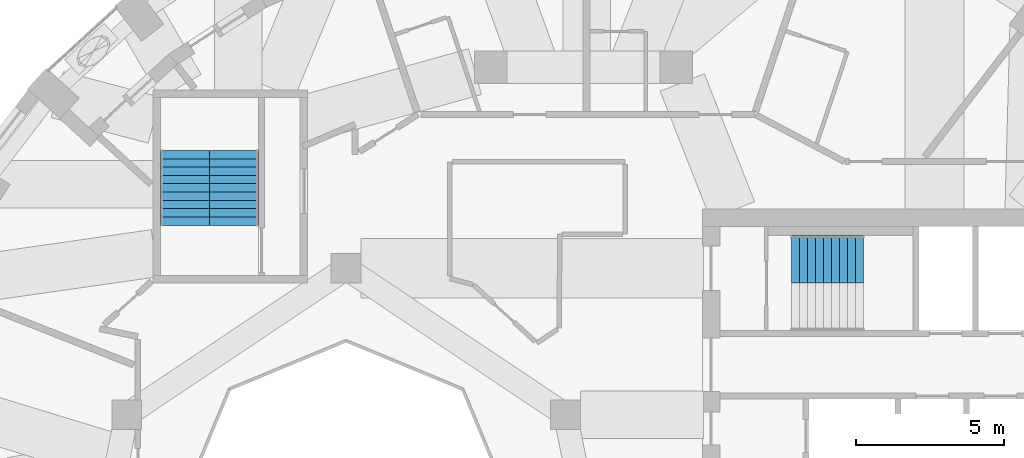
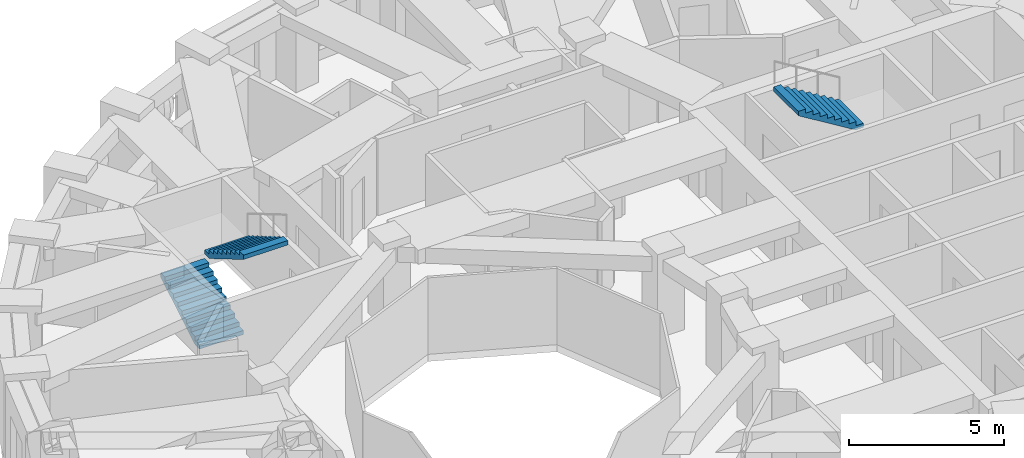
# One storey, part 9 of 12: 3 stair flights, 2 elements without a shape of their own.
"""IFC4 building model written with IfcOpenShell, lengths in metres."""

from ifc_helpers import new_model, si_unit, direction, frame, origin, place, context, subcontext, project, spatial, polyline, outline, extrude, material, type_object, element, aggregate, save


model = new_model("IFC4")

# Units and contexts
model_context = context("Model", 3, precision=1e-05, world=origin(), true_north=direction((0.0, 1.0)))
body_context = subcontext(model_context, "Body", "Model", "MODEL_VIEW")
ifc_project = project(units=[si_unit("LENGTHUNIT", "METRE"), si_unit("AREAUNIT", "SQUARE_METRE"), si_unit("VOLUMEUNIT", "CUBIC_METRE"), si_unit("PLANEANGLEUNIT", "RADIAN"), si_unit("MASSUNIT", "GRAM", prefix="KILO")], contexts=[model_context])

# Site, building, storey
site_placement = place(None, origin())
site = spatial("IfcSite", under=ifc_project, at=site_placement, CompositionType="ELEMENT")
building_placement = place(site_placement, origin())
building = spatial("IfcBuilding", under=site, at=building_placement, Name="Taillehof Tower", CompositionType="ELEMENT")
storey_placement = place(building_placement, frame((0.0, 0.0, 168.199951171875)))
storey = spatial("IfcBuildingStorey", under=building, at=storey_placement, Name="L47", CompositionType="ELEMENT", Elevation=168.199951171875)

# Stair, stair flight
ifc_material_1 = material(Name="Concrete C40/50", Category="concrete")
stair_type = type_object("IfcStairType", Name="Exit stair half-turn", PredefinedType="HALF_TURN_STAIR", material=ifc_material_1)
stair_1_placement = place(storey_placement, origin())
stair_1 = element("IfcStair", 1, at=stair_1_placement, inside=storey, type_object=stair_type, Name="Exit stair S1", PredefinedType="HALF_TURN_STAIR")
ifc_material_2 = material(Name="Concrete C40/50", Category="concrete")
stair_flight_type_1 = type_object("IfcStairFlightType", Name="Stair flight 1600 riser 165.0 going 270", PredefinedType="STRAIGHT", material=ifc_material_2)
stair_flight_1_placement = place(storey_placement, frame((9.429931640625, 8.300048828125, 1.650146484375), z_axis=(0.0, 0.0, 1.0), x_axis=(-1.0, 0.0, 0.0)))
stair_flight_1 = element("IfcStairFlight", 2, at=stair_flight_1_placement, type_object=stair_flight_type_1, Name="S1 flight 2", NumberOfRisers=10, NumberOfTreads=9, PredefinedType="STRAIGHT", RiserHeight=0.165, TreadLength=0.27, context=body_context, shape_type="SweptSolid", body=[
    extrude(outline(polyline([(0.0, 0.0), (0.0, 0.00537109375), (0.0, 0.0107421875), (0.0, 0.015869140625), (0.0, 0.021240234375), (0.0, 0.026611328125), (0.0, 0.031982421875), (0.0, 0.037353515625), (0.0, 0.04248046875), (0.0, 0.0478515625), (0.0, 0.05322265625), (0.0, 0.05859375), (0.0, 0.06396484375), (0.0, 0.069091796875), (0.0, 0.074462890625), (0.0, 0.079833984375), (0.0, 0.085205078125), (0.0, 0.090576171875), (0.0, 0.095703125), (0.0, 0.10107421875), (0.0, 0.1064453125), (0.0, 0.11181640625), (0.0, 0.1171875), (0.0, 0.122314453125), (0.0, 0.127685546875), (0.0, 0.133056640625), (0.0, 0.138427734375), (0.0, 0.143798828125), (0.0, 0.14892578125), (0.0, 0.154296875), (0.0, 0.15966796875), (0.0, 0.1650390625), (0.27001953125, 0.1650390625), (0.27001953125, 0.330078125), (0.5400390625, 0.330078125), (0.5400390625, 0.4951171875), (0.81005859375, 0.4951171875), (0.81005859375, 0.659912109375), (1.080078125, 0.659912109375), (1.080078125, 0.824951171875), (1.35009765625, 0.824951171875), (1.35009765625, 0.989990234375), (1.6201171875, 0.989990234375), (1.6201171875, 1.155029296875), (1.889892578125, 1.155029296875), (1.889892578125, 1.320068359375), (2.159912109375, 1.320068359375), (2.159912109375, 1.485107421875), (2.429931640625, 1.485107421875), (2.429931640625, 1.479248046875), (2.429931640625, 1.4736328125), (2.429931640625, 1.468017578125), (2.429931640625, 1.46240234375), (2.429931640625, 1.45654296875), (2.429931640625, 1.450927734375), (2.429931640625, 1.4453125), (2.429931640625, 1.439697265625), (2.429931640625, 1.43408203125), (2.429931640625, 1.42822265625), (2.429931640625, 1.422607421875), (2.429931640625, 1.4169921875), (2.429931640625, 1.411376953125), (2.429931640625, 1.40576171875), (2.429931640625, 1.39990234375), (2.429931640625, 1.394287109375), (2.429931640625, 1.388671875), (2.429931640625, 1.383056640625), (2.429931640625, 1.37744140625), (2.429931640625, 1.37158203125), (2.429931640625, 1.365966796875), (2.429931640625, 1.3603515625), (2.429931640625, 1.354736328125), (2.429931640625, 1.348876953125), (2.429931640625, 1.34326171875), (2.429931640625, 1.337646484375), (2.429931640625, 1.33203125), (2.429931640625, 1.326416015625), (2.429931640625, 1.320556640625), (2.429931640625, 1.31494140625), (2.429931640625, 1.309326171875), (0.287353515625, 0.0), (0.0, 0.0)])), frame((0.0, 0.800048828125, 0.0), z_axis=(0.0, -1.0, 0.0), x_axis=(1.0, 0.0, 0.0)), (0.0, 0.0, 1.0), 1.6),
])
aggregate(stair_1, [stair_flight_1])

# Stair, stair flights
stair_2_placement = place(storey_placement, origin())
stair_2 = element("IfcStair", 3, at=stair_2_placement, inside=storey, type_object=stair_type, Name="Exit stair S3", PredefinedType="HALF_TURN_STAIR")
ifc_material_3 = material(Name="Concrete C40/50", Category="concrete")
stair_flight_type_2 = type_object("IfcStairFlightType", Name="Stair flight 1650 riser 165.0 going 280", PredefinedType="STRAIGHT", material=ifc_material_3)
stair_flight_2_placement = place(storey_placement, frame((-13.425048828125, 9.449951171875, 0.0), z_axis=(0.0, 0.0, 1.0), x_axis=(0.0, 1.0, 0.0)))
stair_flight_2 = element("IfcStairFlight", 4, at=stair_flight_2_placement, type_object=stair_flight_type_2, Name="S3 flight 1", NumberOfRisers=10, NumberOfTreads=9, PredefinedType="STRAIGHT", RiserHeight=0.165, TreadLength=0.28, context=body_context, shape_type="SweptSolid", body=[
    extrude(outline(polyline([(0.0, 0.0), (0.0, 0.00537109375), (0.0, 0.0107421875), (0.0, 0.015869140625), (0.0, 0.021240234375), (0.0, 0.026611328125), (0.0, 0.031982421875), (0.0, 0.037353515625), (0.0, 0.04248046875), (0.0, 0.0478515625), (0.0, 0.05322265625), (0.0, 0.05859375), (0.0, 0.06396484375), (0.0, 0.069091796875), (0.0, 0.074462890625), (0.0, 0.079833984375), (0.0, 0.085205078125), (0.0, 0.090576171875), (0.0, 0.095703125), (0.0, 0.10107421875), (0.0, 0.1064453125), (0.0, 0.11181640625), (0.0, 0.1171875), (0.0, 0.122314453125), (0.0, 0.127685546875), (0.0, 0.133056640625), (0.0, 0.138427734375), (0.0, 0.143798828125), (0.0, 0.14892578125), (0.0, 0.154296875), (0.0, 0.15966796875), (0.0, 0.1650390625), (0.280029296875, 0.1650390625), (0.280029296875, 0.330078125), (0.56005859375, 0.330078125), (0.56005859375, 0.4951171875), (0.840087890625, 0.4951171875), (0.840087890625, 0.659912109375), (1.1201171875, 0.659912109375), (1.1201171875, 0.824951171875), (1.39990234375, 0.824951171875), (1.39990234375, 0.989990234375), (1.679931640625, 0.989990234375), (1.679931640625, 1.155029296875), (1.9599609375, 1.155029296875), (1.9599609375, 1.320068359375), (2.239990234375, 1.320068359375), (2.239990234375, 1.485107421875), (2.52001953125, 1.485107421875), (2.52001953125, 1.4794921875), (2.52001953125, 1.473876953125), (2.52001953125, 1.46826171875), (2.52001953125, 1.462646484375), (2.52001953125, 1.45703125), (2.52001953125, 1.451416015625), (2.52001953125, 1.44580078125), (2.52001953125, 1.440185546875), (2.52001953125, 1.4345703125), (2.52001953125, 1.428955078125), (2.52001953125, 1.42333984375), (2.52001953125, 1.417724609375), (2.52001953125, 1.412109375), (2.52001953125, 1.406494140625), (2.52001953125, 1.40087890625), (2.52001953125, 1.395263671875), (2.52001953125, 1.3896484375), (2.52001953125, 1.384033203125), (2.52001953125, 1.37841796875), (2.52001953125, 1.372802734375), (2.52001953125, 1.3671875), (2.52001953125, 1.361572265625), (2.52001953125, 1.35595703125), (2.52001953125, 1.350341796875), (2.52001953125, 1.3447265625), (2.52001953125, 1.339111328125), (2.52001953125, 1.33349609375), (2.52001953125, 1.327880859375), (2.52001953125, 1.322265625), (2.52001953125, 1.316650390625), (2.52001953125, 1.31103515625), (0.295166015625, 0.0), (0.0, 0.0)])), frame((0.0, 0.824951171875, 0.0), z_axis=(0.0, -1.0, 0.0), x_axis=(1.0, 0.0, 0.0)), (0.0, 0.0, 1.0), 1.65),
])
stair_flight_3_placement = place(storey_placement, frame((-11.77490234375, 11.969970703125, 1.650146484375), z_axis=(0.0, 0.0, 1.0), x_axis=(0.0, -1.0, 0.0)))
stair_flight_3 = element("IfcStairFlight", 5, at=stair_flight_3_placement, type_object=stair_flight_type_2, Name="S3 flight 2", NumberOfRisers=10, NumberOfTreads=9, PredefinedType="STRAIGHT", RiserHeight=0.165, TreadLength=0.28, context=body_context, shape_type="SweptSolid", body=[
    extrude(outline(polyline([(0.0, 0.0), (0.0, 0.00537109375), (0.0, 0.0107421875), (0.0, 0.015869140625), (0.0, 0.021240234375), (0.0, 0.026611328125), (0.0, 0.031982421875), (0.0, 0.037353515625), (0.0, 0.04248046875), (0.0, 0.0478515625), (0.0, 0.05322265625), (0.0, 0.05859375), (0.0, 0.06396484375), (0.0, 0.069091796875), (0.0, 0.074462890625), (0.0, 0.079833984375), (0.0, 0.085205078125), (0.0, 0.090576171875), (0.0, 0.095703125), (0.0, 0.10107421875), (0.0, 0.1064453125), (0.0, 0.11181640625), (0.0, 0.1171875), (0.0, 0.122314453125), (0.0, 0.127685546875), (0.0, 0.133056640625), (0.0, 0.138427734375), (0.0, 0.143798828125), (0.0, 0.14892578125), (0.0, 0.154296875), (0.0, 0.15966796875), (0.0, 0.1650390625), (0.280029296875, 0.1650390625), (0.280029296875, 0.330078125), (0.56005859375, 0.330078125), (0.56005859375, 0.4951171875), (0.840087890625, 0.4951171875), (0.840087890625, 0.659912109375), (1.1201171875, 0.659912109375), (1.1201171875, 0.824951171875), (1.39990234375, 0.824951171875), (1.39990234375, 0.989990234375), (1.679931640625, 0.989990234375), (1.679931640625, 1.155029296875), (1.9599609375, 1.155029296875), (1.9599609375, 1.320068359375), (2.239990234375, 1.320068359375), (2.239990234375, 1.485107421875), (2.52001953125, 1.485107421875), (2.52001953125, 1.4794921875), (2.52001953125, 1.473876953125), (2.52001953125, 1.46826171875), (2.52001953125, 1.462646484375), (2.52001953125, 1.45703125), (2.52001953125, 1.451416015625), (2.52001953125, 1.44580078125), (2.52001953125, 1.440185546875), (2.52001953125, 1.4345703125), (2.52001953125, 1.428955078125), (2.52001953125, 1.42333984375), (2.52001953125, 1.417724609375), (2.52001953125, 1.412109375), (2.52001953125, 1.406494140625), (2.52001953125, 1.40087890625), (2.52001953125, 1.395263671875), (2.52001953125, 1.3896484375), (2.52001953125, 1.384033203125), (2.52001953125, 1.37841796875), (2.52001953125, 1.372802734375), (2.52001953125, 1.3671875), (2.52001953125, 1.361572265625), (2.52001953125, 1.35595703125), (2.52001953125, 1.350341796875), (2.52001953125, 1.3447265625), (2.52001953125, 1.339111328125), (2.52001953125, 1.33349609375), (2.52001953125, 1.327880859375), (2.52001953125, 1.322265625), (2.52001953125, 1.316650390625), (2.52001953125, 1.31103515625), (0.295166015625, 0.0), (0.0, 0.0)])), frame((0.0, 0.824951171875, 0.0), z_axis=(0.0, -1.0, 0.0), x_axis=(1.0, 0.0, 0.0)), (0.0, 0.0, 1.0), 1.65),
])
aggregate(stair_2, [stair_flight_2, stair_flight_3])

save(model, "model.ifc")
